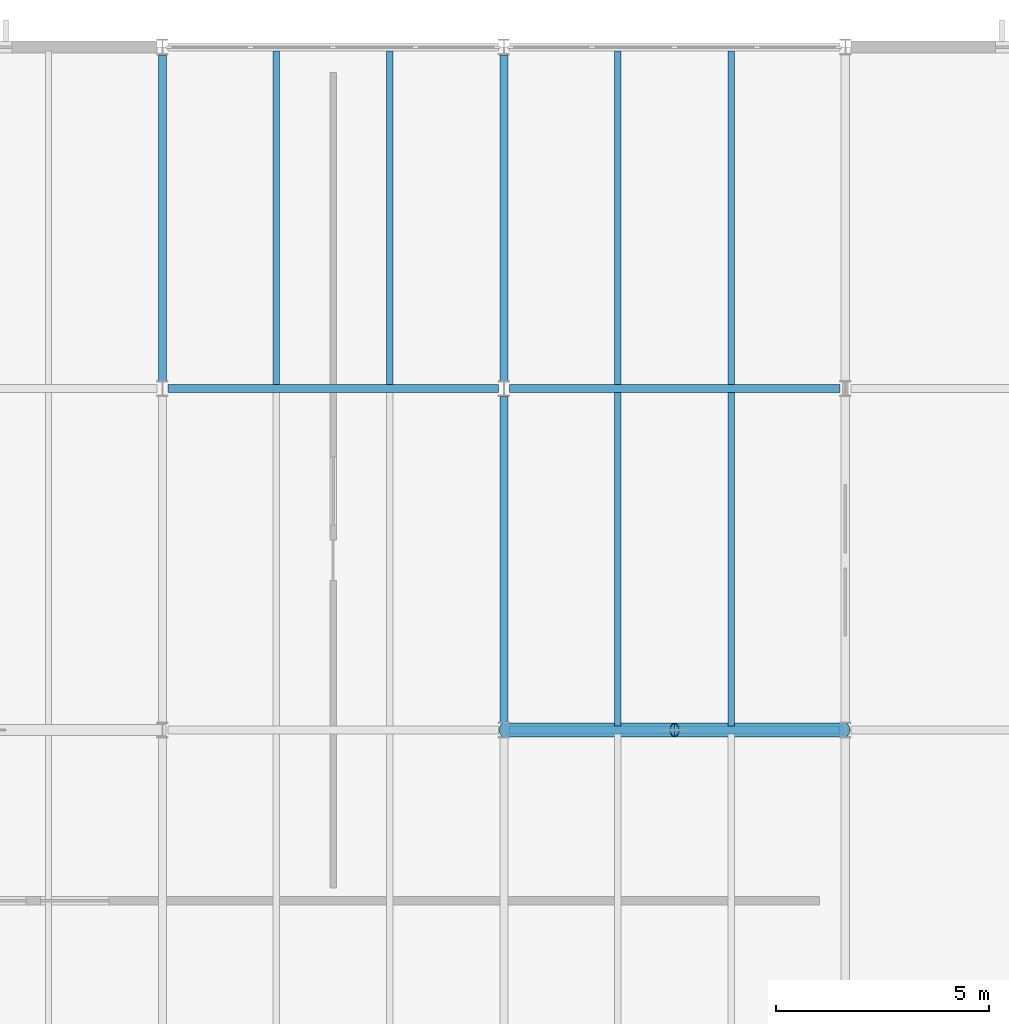
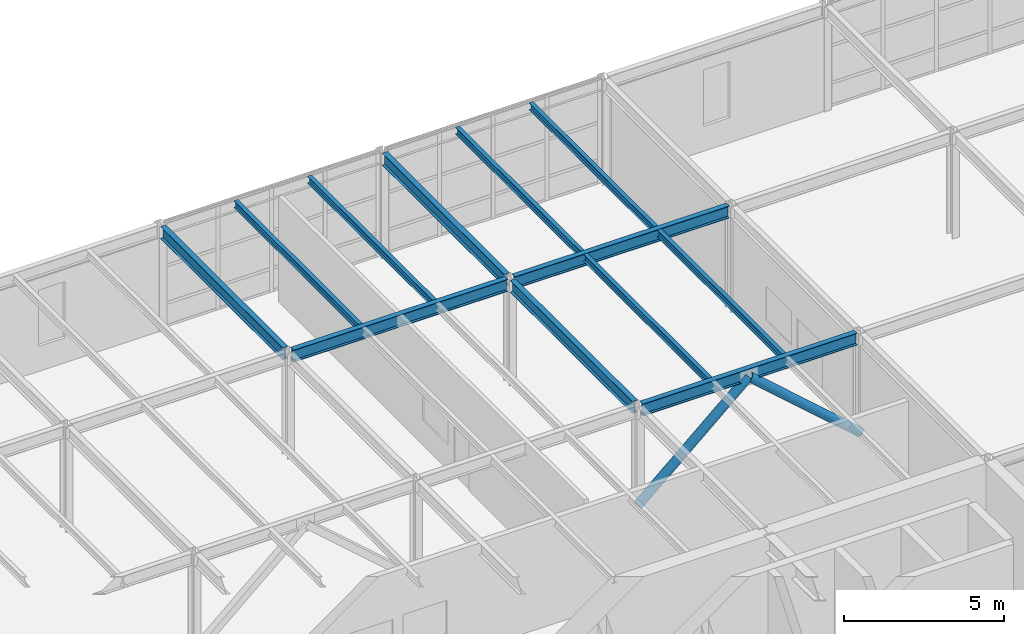
# One storey, part 12 of 21: 12 beams, 2 members.
"""IFC4 building model written with IfcOpenShell, lengths in metres."""

import ifcopenshell
import ifcopenshell.guid

model = None  # the IFC model being written
_history = None  # IfcOwnerHistory: only IFC2X3 demands one
_inside = {}  # id of a spatial element -> (the spatial element, [elements in it])
_under = {}  # id of a project, library or spatial element -> (it, [spatial elements below it])
_declared = {}  # id of a project -> (the project, [libraries it declares])
_typed = {}  # id of a type object -> (the type object, [elements of that type])
_made_of = {}  # id of a material, layer set ... -> (it, [elements and type objects made of it])


def new_model(schema):
    """Start an empty IFC model of exactly this schema.

    Asked for "IFC4X3", IfcOpenShell would pick the latest addendum, in which some entities
    have other attributes; the version numbers below select the first issue.
    IFC2X3 requires an IfcOwnerHistory on every rooted entity: one is made here for all.
    """
    global model, _history
    if schema == "IFC4X3":
        model = ifcopenshell.file(schema_version=(4, 3, 0, 0))
    else:
        model = ifcopenshell.file(schema=schema)
    _inside.clear()
    _under.clear()
    _declared.clear()
    _typed.clear()
    _made_of.clear()
    _history = None
    if model.schema == "IFC2X3":
        org = make("IfcOrganization", Name="unknown")
        user = make(
            "IfcPersonAndOrganization",
            ThePerson=make("IfcPerson", FamilyName="unknown"),
            TheOrganization=org,
        )
        app = make(
            "IfcApplication",
            ApplicationDeveloper=org,
            Version="unknown",
            ApplicationFullName="unknown",
            ApplicationIdentifier="unknown",
        )
        _history = make(
            "IfcOwnerHistory",
            OwningUser=user,
            OwningApplication=app,
            ChangeAction="ADDED",
            CreationDate=0,
        )
    return model


def make(cls, **values):
    """One entity of the class cls with the attributes given. An attribute that is None is left unset."""
    return model.create_entity(
        cls, **{name: value for name, value in values.items() if value is not None}
    )


def rooted(cls, **values):
    """An entity with a GlobalId (a new one), such as an element, a storey or a relation."""
    return make(cls, GlobalId=ifcopenshell.guid.new(), OwnerHistory=_history, **values)


def si_unit(unit_type, name, prefix=None):
    """IfcSIUnit, for example si_unit("LENGTHUNIT", "METRE", prefix="MILLI")."""
    return make("IfcSIUnit", UnitType=unit_type, Prefix=prefix, Name=name)


def assignment(units):
    """IfcUnitAssignment: the units of a project."""
    return None if units is None else make("IfcUnitAssignment", Units=units)


def point(xyz):
    """IfcCartesianPoint."""
    return None if xyz is None else make("IfcCartesianPoint", Coordinates=xyz)


def direction(xyz):
    """IfcDirection."""
    return None if xyz is None else make("IfcDirection", DirectionRatios=xyz)


def frame(location, z_axis=None, x_axis=None):
    """IfcAxis2Placement3D, a coordinate frame: its origin and axes. An axis left out is left unset."""
    return make(
        "IfcAxis2Placement3D",
        Location=point(location),
        Axis=direction(z_axis),
        RefDirection=direction(x_axis),
    )


def frame_2d(location, x_axis=None):
    """IfcAxis2Placement2D, a coordinate frame in the plane: its origin and x axis."""
    return make(
        "IfcAxis2Placement2D", Location=point(location), RefDirection=direction(x_axis)
    )


def origin():
    """The frame at (0, 0, 0) with its axes left unset."""
    return frame((0.0, 0.0, 0.0))


def origin_2d():
    """The frame at (0, 0) in the plane with its x axis left unset."""
    return frame_2d((0.0, 0.0))


def place(relative_to, where):
    """IfcLocalPlacement: puts the frame where relative to a parent placement (None: the world)."""
    return make(
        "IfcLocalPlacement", PlacementRelTo=relative_to, RelativePlacement=where
    )


def context(
    kind, dimensions, precision=None, world=None, true_north=None, identifier=None
):
    """IfcGeometricRepresentationContext, for example the 3D "Model" context."""
    return make(
        "IfcGeometricRepresentationContext",
        ContextIdentifier=identifier,
        ContextType=kind,
        CoordinateSpaceDimension=dimensions,
        Precision=precision,
        WorldCoordinateSystem=world,
        TrueNorth=true_north,
    )


def subcontext(parent, identifier, kind, view, scale=None):
    """IfcGeometricRepresentationSubContext, for example "Body" below "Model"."""
    return make(
        "IfcGeometricRepresentationSubContext",
        ContextIdentifier=identifier,
        ContextType=kind,
        ParentContext=parent,
        TargetScale=scale,
        TargetView=view,
    )


def project(units=None, contexts=None):
    """IfcProject with its units and contexts."""
    return rooted(
        "IfcProject",
        Name="project",
        RepresentationContexts=contexts,
        UnitsInContext=assignment(units),
    )


def spatial(cls, under=None, at=None, **own):
    """A site, building, storey or space (cls), placed at a placement, below another one or the project."""
    s = rooted(cls, ObjectPlacement=at, **own)
    if under is not None:
        _under.setdefault(under.id(), (under, []))[1].append(s)
    return s


def profile(cls, at=None, kind="AREA", **sizes):
    """A parametric profile (cls). Its sizes go by their IFC names, for example OverallWidth=200.0."""
    return make(cls, ProfileType=kind, Position=at, **sizes)


def hollow_circle(**sizes):
    """IfcCircleHollowProfileDef."""
    return profile("IfcCircleHollowProfileDef", **sizes)


def i_section(**sizes):
    """IfcIShapeProfileDef."""
    return profile("IfcIShapeProfileDef", **sizes)


def extrude(swept, where, along, depth):
    """IfcExtrudedAreaSolid: the profile swept, set in the frame where, extruded along a direction by depth."""
    return make(
        "IfcExtrudedAreaSolid",
        SweptArea=swept,
        Position=where,
        ExtrudedDirection=direction(along),
        Depth=depth,
    )


def shape(context_of_items, identifier, shape_type, items):
    """IfcShapeRepresentation: the items that make up one representation, for example the "Body"."""
    return make(
        "IfcShapeRepresentation",
        ContextOfItems=context_of_items,
        RepresentationIdentifier=identifier,
        RepresentationType=shape_type,
        Items=items,
    )


def material(Name=None, Category=None):
    """IfcMaterial."""
    return make("IfcMaterial", Name=Name, Category=Category)


def material_profile(
    of_material, cross_section, Name=None, Category=None, Priority=None
):
    """IfcMaterialProfile: a cross section and its material."""
    return make(
        "IfcMaterialProfile",
        Name=Name,
        Material=of_material,
        Profile=cross_section,
        Priority=Priority,
        Category=Category,
    )


def profile_set(profiles, Name=None, composite=None):
    """IfcMaterialProfileSet."""
    return make(
        "IfcMaterialProfileSet",
        Name=Name,
        MaterialProfiles=profiles,
        CompositeProfile=composite,
    )


def made_of(thing, what):
    """Note that an element or type object is made of a material, layer set ...; save() writes the relation."""
    if what is not None:
        _made_of.setdefault(what.id(), (what, []))[1].append(thing)
    return thing


def type_object(cls, material=None, **own):
    """A type object (cls), such as IfcWallType, which elements share."""
    return made_of(rooted(cls, **own), material)


def element(
    cls,
    number,
    at=None,
    inside=None,
    cuts=None,
    type_object=None,
    material=None,
    context=None,
    identifier="Body",
    shape_type=None,
    held_by="IfcProductDefinitionShape",
    body=None,
    shapes=None,
    **own,
):
    """One element of the class cls, such as IfcWall. Its Tag is "e" and its number.

    at: its placement. inside: the storey or other place that contains it. cuts: it is an
    opening in that element (IfcRelVoidsElement). A single representation is given by context,
    identifier, shape_type and body (its items); several are given by shapes. held_by: the class
    of the entity that holds the representations. save() writes the other relations.
    """
    e = rooted(cls, Tag="e%d" % number, ObjectPlacement=at, **own)
    if body is not None:
        shapes = [shape(context, identifier, shape_type, body)]
    if shapes is not None:
        e.Representation = make(held_by, Representations=shapes)
    if inside is not None:
        _inside.setdefault(inside.id(), (inside, []))[1].append(e)
    if cuts is not None:
        rooted(
            "IfcRelVoidsElement", RelatingBuildingElement=cuts, RelatedOpeningElement=e
        )
    if type_object is not None:
        _typed.setdefault(type_object.id(), (type_object, []))[1].append(e)
    return made_of(e, material)


def aggregate(whole, parts):
    """IfcRelAggregates: a whole, such as a stair, and the parts it consists of."""
    return rooted("IfcRelAggregates", RelatingObject=whole, RelatedObjects=parts)


def save(model, path):
    """Write the relations noted so far, then the file.

    IfcRelAggregates (storeys below a building ...), IfcRelContainedInSpatialStructure (elements
    in a storey), IfcRelDefinesByType, IfcRelAssociatesMaterial and IfcRelDeclares: one each for
    every whole, place, type object, material and project.
    """
    for whole, parts in _under.values():
        aggregate(whole, parts)
    for where, things in _inside.values():
        rooted(
            "IfcRelContainedInSpatialStructure",
            RelatedElements=things,
            RelatingStructure=where,
        )
    for kind, things in _typed.values():
        rooted("IfcRelDefinesByType", RelatedObjects=things, RelatingType=kind)
    for what, things in _made_of.values():
        rooted("IfcRelAssociatesMaterial", RelatedObjects=things, RelatingMaterial=what)
    for by, libraries in _declared.values():
        rooted("IfcRelDeclares", RelatingContext=by, RelatedDefinitions=libraries)
    model.write(path)


model = new_model("IFC4")

# Units and contexts
model_context = context("Model", 3, precision=1e-05, world=origin(), true_north=direction((0.0, 1.0)))
body_context = subcontext(model_context, "Body", "Model", "MODEL_VIEW")
ifc_project = project(units=[si_unit("LENGTHUNIT", "METRE"), si_unit("AREAUNIT", "SQUARE_METRE"), si_unit("VOLUMEUNIT", "CUBIC_METRE"), si_unit("PLANEANGLEUNIT", "RADIAN"), si_unit("MASSUNIT", "GRAM", prefix="KILO")], contexts=[model_context])

# Site, building, storey
site_placement = place(None, origin())
site = spatial("IfcSite", under=ifc_project, at=site_placement, CompositionType="ELEMENT")
building_placement = place(site_placement, origin())
building = spatial("IfcBuilding", under=site, at=building_placement, Name="Varnela Railside Interchange", CompositionType="ELEMENT")
storey_placement = place(building_placement, frame((0.0, 0.0, 23.800048828125)))
storey = spatial("IfcBuildingStorey", under=building, at=storey_placement, Name="L05", CompositionType="ELEMENT", Elevation=23.800048828125)

# Beams
ifc_material = material(Name="Steel AR 350 (350 MPa)", Category="steel")
ifc_material_profile_1 = material_profile(ifc_material, i_section(OverallWidth=0.14794921875, OverallDepth=0.26611328125, WebThickness=0.007568359375, FlangeThickness=0.012939453125, at=origin_2d()), Name="W250x44.8")
ifc_profile_set_1 = profile_set([ifc_material_profile_1], Name="Steel AR 350 (350 MPa)")
beam_type_1 = type_object("IfcBeamType", Name="Composite Floor Joist J-05", PredefinedType="JOIST", material=ifc_profile_set_1)
for number, where, z_axis, x_axis, name in (
    (1, (22.669921875, 86.095947265625, 3.886962890625), (0.0, 1.0, 0.0), (-1.0, 0.0, 0.0), "Composite Floor Joist J-05 (L05) (BM-2560)"),
    (2, (25.330078125, 86.095947265625, 3.886962890625), (0.0, 1.0, 0.0), (-1.0, 0.0, 0.0), "Composite Floor Joist J-05 (L05) (BM-2561)"),
    (3, (30.669921875, 78.095947265625, 3.886962890625), (0.0, 1.0, 0.0), (-1.0, 0.0, 0.0), "Composite Floor Joist J-05 (L05) (BM-2574)"),
    (4, (33.330078125, 78.095947265625, 3.886962890625), (0.0, 1.0, 0.0), (-1.0, 0.0, 0.0), "Composite Floor Joist J-05 (L05) (BM-2575)"),
    (5, (30.669921875, 86.095947265625, 3.886962890625), (0.0, 1.0, 0.0), (-1.0, 0.0, 0.0), "Composite Floor Joist J-05 (L05) (BM-2568)"),
    (6, (33.330078125, 86.095947265625, 3.886962890625), (0.0, 1.0, 0.0), (-1.0, 0.0, 0.0), "Composite Floor Joist J-05 (L05) (BM-2569)"),
):
    element("IfcBeam", number, at=place(storey_placement, frame(where, z_axis=z_axis, x_axis=x_axis)), inside=storey, type_object=beam_type_1, Name=name, PredefinedType="JOIST", context=body_context, shape_type="SweptSolid", body=[
        extrude(i_section(OverallWidth=0.14794921875, OverallDepth=0.26611328125, WebThickness=0.007568359375, FlangeThickness=0.012939453125, at=origin_2d()), origin(), (0.0, 0.0, 1.0), 7.80810546875),
    ])
ifc_material_profile_2 = material_profile(ifc_material, i_section(OverallWidth=0.19189453125, OverallDepth=0.462890625, WebThickness=0.010498046875, FlangeThickness=0.017578125, at=origin_2d()), Name="W460x89")
ifc_profile_set_2 = profile_set([ifc_material_profile_2], Name="Steel AR 350 (350 MPa)")
beam_type_2 = type_object("IfcBeamType", Name="Composite Primary Beam B-20", PredefinedType="BEAM", material=ifc_profile_set_2)
for number, where, z_axis, x_axis, name in (
    (7, (28.12841796875, 78.0, 3.788330078125), (1.0, 0.0, 0.0), (0.0, 1.0, 0.0), "Composite Primary Beam B-20 (L05) (BM-2587)"),
    (8, (20.12841796875, 86.0, 3.788330078125), (1.0, 0.0, 0.0), (0.0, 1.0, 0.0), "Composite Primary Beam B-20 (L05) (BM-2592)"),
    (9, (28.12841796875, 86.0, 3.788330078125), (1.0, 0.0, 0.0), (0.0, 1.0, 0.0), "Composite Primary Beam B-20 (L05) (BM-2593)"),
):
    element("IfcBeam", number, at=place(storey_placement, frame(where, z_axis=z_axis, x_axis=x_axis)), inside=storey, type_object=beam_type_2, Name=name, PredefinedType="BEAM", context=body_context, shape_type="SweptSolid", body=[
        extrude(i_section(OverallWidth=0.19189453125, OverallDepth=0.462890625, WebThickness=0.010498046875, FlangeThickness=0.017578125, at=origin_2d()), origin(), (0.0, 0.0, 1.0), 7.7431640625),
    ])
ifc_material_profile_3 = material_profile(ifc_material, i_section(OverallWidth=0.18994140625, OverallDepth=0.45703125, WebThickness=0.009033203125, FlangeThickness=0.014404296875, at=origin_2d()), Name="W460x74")
ifc_profile_set_3 = profile_set([ifc_material_profile_3], Name="Steel AR 350 (350 MPa)")
beam_type_3 = type_object("IfcBeamType", Name="Composite Primary Beam B-21", PredefinedType="BEAM", material=ifc_profile_set_3)
beam_placement = place(storey_placement, frame((28.0, 78.181396484375, 3.79150390625), z_axis=(0.0, 1.0, 0.0), x_axis=(-1.0, 0.0, 0.0)))
element("IfcBeam", 10, at=beam_placement, inside=storey, type_object=beam_type_3, Name="Composite Primary Beam B-21 (L05) (BM-2620)", PredefinedType="BEAM", context=body_context, shape_type="SweptSolid", body=[
    extrude(i_section(OverallWidth=0.18994140625, OverallDepth=0.45703125, WebThickness=0.009033203125, FlangeThickness=0.014404296875, at=origin_2d()), origin(), (0.0, 0.0, 1.0), 7.63720703125),
])
ifc_material_profile_4 = material_profile(ifc_material, i_section(OverallWidth=0.19091796875, OverallDepth=0.4599609375, WebThickness=0.010009765625, FlangeThickness=0.01611328125, at=origin_2d()), Name="W460x82")
ifc_profile_set_4 = profile_set([ifc_material_profile_4], Name="Steel AR 350 (350 MPa)")
beam_type_4 = type_object("IfcBeamType", Name="Steel Perimeter Spandrel SP-01", PredefinedType="SPANDREL", material=ifc_profile_set_4)
for number, where, z_axis, x_axis, name in (
    (11, (20.0, 86.181396484375, 3.7900390625), (0.0, 1.0, 0.0), (-1.0, 0.0, 0.0), "Steel Perimeter Spandrel SP-01 (L05) (BM-2616)"),
    (12, (28.0, 86.181396484375, 3.7900390625), (0.0, 1.0, 0.0), (-1.0, 0.0, 0.0), "Steel Perimeter Spandrel SP-01 (L05) (BM-2621)"),
):
    element("IfcBeam", number, at=place(storey_placement, frame(where, z_axis=z_axis, x_axis=x_axis)), inside=storey, type_object=beam_type_4, Name=name, PredefinedType="SPANDREL", context=body_context, shape_type="SweptSolid", body=[
        extrude(i_section(OverallWidth=0.19091796875, OverallDepth=0.4599609375, WebThickness=0.010009765625, FlangeThickness=0.01611328125, at=origin_2d()), origin(), (0.0, 0.0, 1.0), 7.63720703125),
    ])

# Members
ifc_material_profile_5 = material_profile(ifc_material, hollow_circle(Radius=0.161865234375, WallThickness=0.01611328125, at=origin_2d()), Name="CHS 323.9x16")
ifc_profile_set_5 = profile_set([ifc_material_profile_5], Name="Steel AR 350 (350 MPa)")
member_type = type_object("IfcMemberType", Name="Tubular Operations Brace BR-11", PredefinedType="BRACE", material=ifc_profile_set_5)
for number, where, z_axis, x_axis, name in (
    (13, (28.0, 78.0, 0.14990234375), (0.750711699002, 0.0, 0.660629960706), (0.0, 1.0, 0.0), "Tubular Operations Brace BR-11 (L05) (MB-0174)"),
    (14, (36.0, 78.0, 0.14990234375), (-0.750711699002, 0.0, 0.660629960706), (0.0, -1.0, 0.0), "Tubular Operations Brace BR-11 (L05) (MB-0175)"),
):
    element("IfcMember", number, at=place(storey_placement, frame(where, z_axis=z_axis, x_axis=x_axis)), inside=storey, type_object=member_type, Name=name, PredefinedType="BRACE", context=body_context, shape_type="SweptSolid", body=[
        extrude(hollow_circle(Radius=0.161865234375, WallThickness=0.01611328125, at=origin_2d()), origin(), (0.0, 0.0, 1.0), 5.328369140625),
    ])

save(model, "model.ifc")
